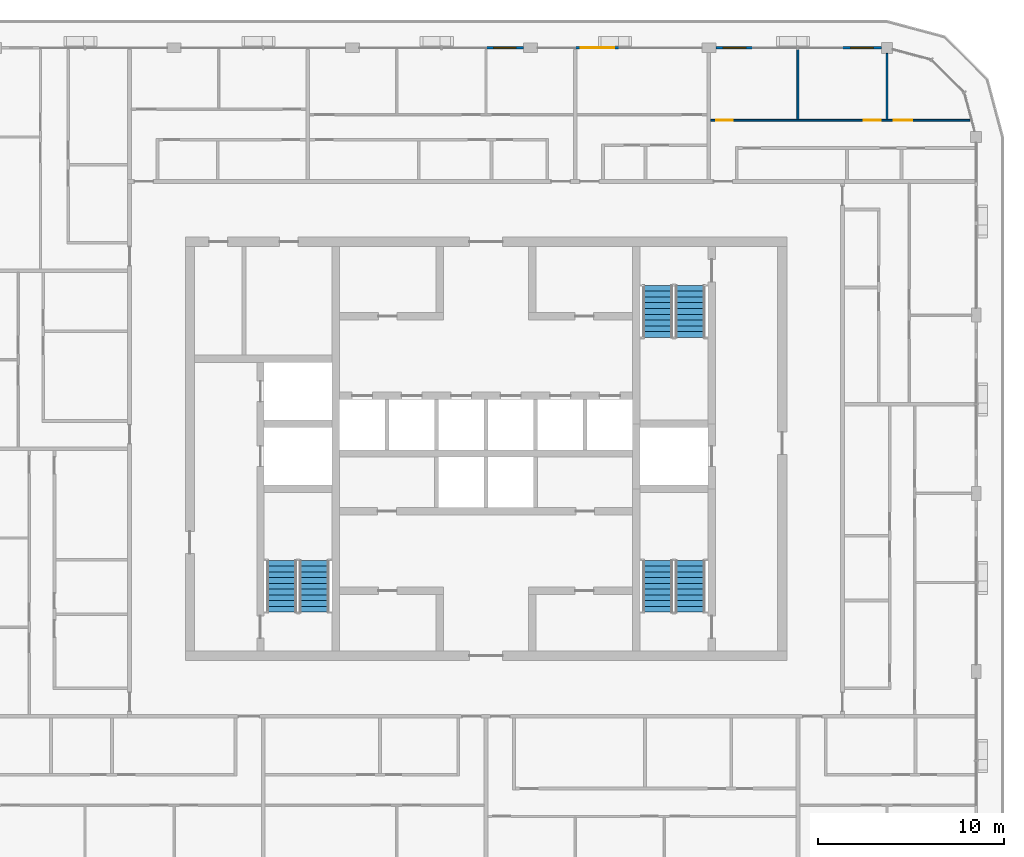
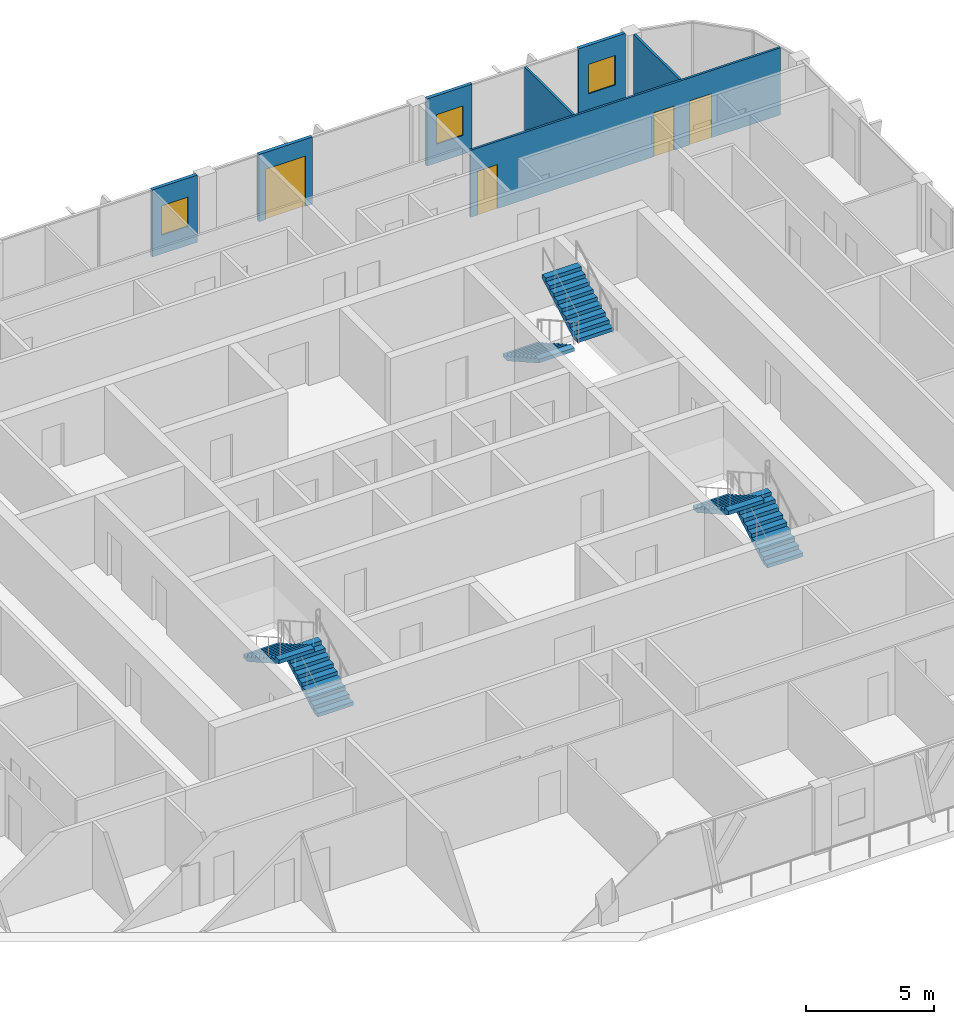
# One storey, part 15 of 21: 7 walls, 6 stair flights, 4 doors, 3 windows, 7 openings, 3 elements without a shape of their own.
"""IFC4 building model written with IfcOpenShell, lengths in metres."""

from ifc_helpers import new_model, si_unit, direction, frame, frame_2d, origin, place, context, subcontext, project, spatial, polyline, rectangle, outline, extrude, material, layer, layer_set, type_object, element, fill, aggregate, save


model = new_model("IFC4")

# Units and contexts
model_context = context("Model", 3, precision=1e-05, world=origin(), true_north=direction((0.0, 1.0)))
body_context = subcontext(model_context, "Body", "Model", "MODEL_VIEW")
ifc_project = project(units=[si_unit("LENGTHUNIT", "METRE"), si_unit("AREAUNIT", "SQUARE_METRE"), si_unit("VOLUMEUNIT", "CUBIC_METRE"), si_unit("PLANEANGLEUNIT", "RADIAN"), si_unit("MASSUNIT", "GRAM", prefix="KILO")], contexts=[model_context])

# Site, building, storey
site_placement = place(None, origin())
site = spatial("IfcSite", under=ifc_project, at=site_placement, CompositionType="ELEMENT")
building_placement = place(site_placement, origin())
building = spatial("IfcBuilding", under=site, at=building_placement, Name="Madar Terraces", CompositionType="ELEMENT")
storey_placement = place(building_placement, frame((0.0, 0.0, 275.60009765625)))
storey = spatial("IfcBuildingStorey", under=building, at=storey_placement, Name="L72", CompositionType="ELEMENT", Elevation=275.60009765625)

# Wall, opening, window
ifc_material_1 = material(Name="Aluminium composite panel, black, over insulated backing", Category="aluminium")
ifc_layer_1 = layer(ifc_material_1, 0.14990234375)
ifc_layer_set_1 = layer_set([ifc_layer_1], Name="Facade bay panel 150")
wall_type_1 = type_object("IfcWallType", Name="Facade bay panel 150", PredefinedType="SOLIDWALL", material=ifc_layer_set_1)
wall_1_placement = place(storey_placement, frame((52.5, 48.0, 0.0), z_axis=(0.0, 0.0, 1.0), x_axis=(-1.0, 0.0, 0.0)))
wall_1 = element("IfcWall", 1, at=wall_1_placement, inside=storey, type_object=wall_type_1, Name="Facade bay panel", PredefinedType="SOLIDWALL", context=body_context, shape_type="SweptSolid", body=[
    extrude(rectangle(XDim=2.10009765625, YDim=0.14990234375, at=frame_2d((1.050048828125, 0.0))), origin(), (0.0, 0.0, 1.0), 3.199951171875),
])
opening_1_placement = place(wall_1_placement, frame((0.449951171875, 0.0, 0.89990234375)))
opening_1 = element("IfcOpeningElement", 2, at=opening_1_placement, cuts=wall_1, Name="Opening W1", PredefinedType="OPENING", context=body_context, shape_type="SweptSolid", body=[
    extrude(rectangle(XDim=1.199951171875, YDim=1.39990234375, at=frame_2d((0.60009765625, 0.699951171875))), frame((0.0, 0.0849609375, 0.0), z_axis=(0.0, -1.0, 0.0), x_axis=(1.0, 0.0, 0.0)), (0.0, 0.0, 1.0), 0.169921875),
])
ifc_material_2 = material(Name="Glass, clear, with black aluminium frame", Category="aluminium")
window_type = type_object("IfcWindowType", Name="Vent window 1200 x 1400", PartitioningType="SINGLE_PANEL", PredefinedType="WINDOW", material=ifc_material_2)
window_1_placement = place(opening_1_placement, origin())
window_1 = element("IfcWindow", 3, at=window_1_placement, inside=storey, type_object=window_type, Name="Operable vent window", OverallHeight=1.39990234375, OverallWidth=1.199951171875, PartitioningType="SINGLE_PANEL", PredefinedType="WINDOW", context=body_context, shape_type="SweptSolid", body=[
    extrude(rectangle(XDim=1.199951171875, YDim=1.39990234375, at=frame_2d((0.60009765625, 0.699951171875))), frame((0.0, 0.030029296875, 0.0), z_axis=(0.0, -1.0, 0.0), x_axis=(1.0, 0.0, 0.0)), (0.0, 0.0, 1.0), 0.06005859375),
])
fill(opening_1, window_1)

wall_2_placement = place(storey_placement, frame((45.60009765625, 48.0, 0.0), z_axis=(0.0, 0.0, 1.0), x_axis=(-1.0, 0.0, 0.0)))
wall_2 = element("IfcWall", 4, at=wall_2_placement, inside=storey, type_object=wall_type_1, Name="Facade bay panel", PredefinedType="SOLIDWALL", context=body_context, shape_type="SweptSolid", body=[
    extrude(rectangle(XDim=2.025146484375, YDim=0.14990234375, at=frame_2d((1.0126953125, 0.0))), origin(), (0.0, 0.0, 1.0), 3.199951171875),
])
opening_2_placement = place(wall_2_placement, frame((0.41259765625, 0.0, 0.89990234375)))
opening_2 = element("IfcOpeningElement", 5, at=opening_2_placement, cuts=wall_2, Name="Opening W1", PredefinedType="OPENING", context=body_context, shape_type="SweptSolid", body=[
    extrude(rectangle(XDim=1.199951171875, YDim=1.39990234375, at=frame_2d((0.60009765625, 0.699951171875))), frame((0.0, 0.0849609375, 0.0), z_axis=(0.0, -1.0, 0.0), x_axis=(1.0, 0.0, 0.0)), (0.0, 0.0, 1.0), 0.169921875),
])
window_2_placement = place(opening_2_placement, origin())
window_2 = element("IfcWindow", 6, at=window_2_placement, inside=storey, type_object=window_type, Name="Operable vent window", OverallHeight=1.39990234375, OverallWidth=1.199951171875, PartitioningType="SINGLE_PANEL", PredefinedType="WINDOW", context=body_context, shape_type="SweptSolid", body=[
    extrude(rectangle(XDim=1.199951171875, YDim=1.39990234375, at=frame_2d((0.60009765625, 0.699951171875))), frame((0.0, 0.030029296875, 0.0), z_axis=(0.0, -1.0, 0.0), x_axis=(1.0, 0.0, 0.0)), (0.0, 0.0, 1.0), 0.06005859375),
])
fill(opening_2, window_2)

# Wall, opening, door
wall_3_placement = place(storey_placement, frame((38.39990234375, 48.0, 0.0), z_axis=(0.0, 0.0, 1.0), x_axis=(-1.0, 0.0, 0.0)))
wall_3 = element("IfcWall", 7, at=wall_3_placement, inside=storey, type_object=wall_type_1, Name="Facade bay panel", PredefinedType="SOLIDWALL", context=body_context, shape_type="SweptSolid", body=[
    extrude(rectangle(XDim=2.39990234375, YDim=0.14990234375, at=frame_2d((1.199951171875, 0.0))), origin(), (0.0, 0.0, 1.0), 3.199951171875),
])
opening_3_placement = place(wall_3_placement, frame((0.300048828125, 0.0, 0.0)))
opening_3 = element("IfcOpeningElement", 8, at=opening_3_placement, cuts=wall_3, Name="Opening ED1", PredefinedType="OPENING", context=body_context, shape_type="SweptSolid", body=[
    extrude(rectangle(XDim=1.800048828125, YDim=2.39990234375, at=frame_2d((0.89990234375, 1.199951171875))), frame((0.0, 0.0849609375, 0.0), z_axis=(0.0, -1.0, 0.0), x_axis=(1.0, 0.0, 0.0)), (0.0, 0.0, 1.0), 0.169921875),
])
ifc_material_3 = material(Name="Glass, clear, with black aluminium frame", Category="aluminium")
door_type_1 = type_object("IfcDoorType", Name="Balcony and terrace sliding door 1800 x 2400", OperationType="SLIDING_TO_LEFT", PredefinedType="DOOR", material=ifc_material_3)
door_1_placement = place(opening_3_placement, origin())
door_1 = element("IfcDoor", 9, at=door_1_placement, inside=storey, type_object=door_type_1, Name="Balcony door", OperationType="SLIDING_TO_RIGHT", OverallHeight=2.39990234375, OverallWidth=1.800048828125, PredefinedType="DOOR", context=body_context, shape_type="SweptSolid", body=[
    extrude(rectangle(XDim=1.800048828125, YDim=2.39990234375, at=frame_2d((0.89990234375, 1.199951171875))), frame((0.0, 0.02490234375, 0.0), z_axis=(0.0, -1.0, 0.0), x_axis=(1.0, 0.0, 0.0)), (0.0, 0.0, 1.0), 0.050048828125),
])
fill(opening_3, door_1)

# Wall, opening, window
wall_4_placement = place(storey_placement, frame((33.22509765625, 48.0, 0.0), z_axis=(0.0, 0.0, 1.0), x_axis=(-1.0, 0.0, 0.0)))
wall_4 = element("IfcWall", 10, at=wall_4_placement, inside=storey, type_object=wall_type_1, Name="Facade bay panel", PredefinedType="SOLIDWALL", context=body_context, shape_type="SweptSolid", body=[
    extrude(rectangle(XDim=2.025146484375, YDim=0.14990234375, at=frame_2d((1.0126953125, 0.0))), origin(), (0.0, 0.0, 1.0), 3.199951171875),
])
opening_4_placement = place(wall_4_placement, frame((0.41259765625, 0.0, 0.89990234375)))
opening_4 = element("IfcOpeningElement", 11, at=opening_4_placement, cuts=wall_4, Name="Opening W1", PredefinedType="OPENING", context=body_context, shape_type="SweptSolid", body=[
    extrude(rectangle(XDim=1.199951171875, YDim=1.39990234375, at=frame_2d((0.60009765625, 0.699951171875))), frame((0.0, 0.0849609375, 0.0), z_axis=(0.0, -1.0, 0.0), x_axis=(1.0, 0.0, 0.0)), (0.0, 0.0, 1.0), 0.169921875),
])
window_3_placement = place(opening_4_placement, origin())
window_3 = element("IfcWindow", 12, at=window_3_placement, inside=storey, type_object=window_type, Name="Operable vent window", OverallHeight=1.39990234375, OverallWidth=1.199951171875, PartitioningType="SINGLE_PANEL", PredefinedType="WINDOW", context=body_context, shape_type="SweptSolid", body=[
    extrude(rectangle(XDim=1.199951171875, YDim=1.39990234375, at=frame_2d((0.60009765625, 0.699951171875))), frame((0.0, 0.030029296875, 0.0), z_axis=(0.0, -1.0, 0.0), x_axis=(1.0, 0.0, 0.0)), (0.0, 0.0, 1.0), 0.06005859375),
])
fill(opening_4, window_3)

# Walls
ifc_material_4 = material(Name="Gypsum board on steel studs", Category="steel")
ifc_layer_2 = layer(ifc_material_4, 0.10009765625)
ifc_layer_set_2 = layer_set([ifc_layer_2], Name="Flat partition 100")
wall_type_2 = type_object("IfcWallType", Name="Flat partition 100", PredefinedType="PARTITIONING", material=ifc_layer_set_2)
wall_5_placement = place(storey_placement, frame((48.0, 44.14990234375, 0.0), z_axis=(0.0, 0.0, 1.0), x_axis=(0.0, 1.0, 0.0)))
element("IfcWall", 13, at=wall_5_placement, inside=storey, type_object=wall_type_2, Name="Flat partition 100", PredefinedType="PARTITIONING", context=body_context, shape_type="SweptSolid", body=[
    extrude(rectangle(XDim=3.75, YDim=0.10009765625, at=frame_2d((1.875, 0.0))), origin(), (0.0, 0.0, 1.0), 3.199951171875),
])
wall_6_placement = place(storey_placement, frame((52.800048828125, 44.14990234375, 0.0), z_axis=(0.0, 0.0, 1.0), x_axis=(0.0, 1.0, 0.0)))
element("IfcWall", 14, at=wall_6_placement, inside=storey, type_object=wall_type_2, Name="Flat partition 100", PredefinedType="PARTITIONING", context=body_context, shape_type="SweptSolid", body=[
    extrude(rectangle(XDim=3.550048828125, YDim=0.10009765625, at=frame_2d((1.77490234375, 0.0))), origin(), (0.0, 0.0, 1.0), 3.199951171875),
])

# Wall, openings, doors
wall_7_placement = place(storey_placement, frame((43.300048828125, 44.10009765625, 0.0), z_axis=(0.0, 0.0, 1.0), x_axis=(1.0, 0.0, 0.0)))
wall_7 = element("IfcWall", 15, at=wall_7_placement, inside=storey, type_object=wall_type_2, Name="Flat partition 100", PredefinedType="PARTITIONING", context=body_context, shape_type="SweptSolid", body=[
    extrude(rectangle(XDim=13.958740234375, YDim=0.10009765625, at=frame_2d((6.9794921875, 0.0))), origin(), (0.0, 0.0, 1.0), 3.199951171875),
])
opening_5_placement = place(wall_7_placement, frame((0.300048828125, 0.0, 0.0)))
opening_5 = element("IfcOpeningElement", 16, at=opening_5_placement, cuts=wall_7, Name="Opening D2", PredefinedType="OPENING", context=body_context, shape_type="SweptSolid", body=[
    extrude(rectangle(XDim=0.89990234375, YDim=2.10009765625, at=frame_2d((0.449951171875, 1.050048828125))), frame((0.0, 0.06005859375, 0.0), z_axis=(0.0, -1.0, 0.0), x_axis=(1.0, 0.0, 0.0)), (0.0, 0.0, 1.0), 0.1201171875),
])
opening_6_placement = place(wall_7_placement, frame((8.25, 0.0, 0.0)))
opening_6 = element("IfcOpeningElement", 17, at=opening_6_placement, cuts=wall_7, Name="Opening D2", PredefinedType="OPENING", context=body_context, shape_type="SweptSolid", body=[
    extrude(rectangle(XDim=0.89990234375, YDim=2.10009765625, at=frame_2d((0.449951171875, 1.050048828125))), frame((0.0, 0.06005859375, 0.0), z_axis=(0.0, -1.0, 0.0), x_axis=(1.0, 0.0, 0.0)), (0.0, 0.0, 1.0), 0.1201171875),
])
opening_7_placement = place(wall_7_placement, frame((9.85009765625, 0.0, 0.0)))
opening_7 = element("IfcOpeningElement", 18, at=opening_7_placement, cuts=wall_7, Name="Opening D3", PredefinedType="OPENING", context=body_context, shape_type="SweptSolid", body=[
    extrude(rectangle(XDim=1.0, YDim=2.10009765625, at=frame_2d((0.5, 1.050048828125))), frame((0.0, 0.06005859375, 0.0), z_axis=(0.0, -1.0, 0.0), x_axis=(1.0, 0.0, 0.0)), (0.0, 0.0, 1.0), 0.1201171875),
])
ifc_material_5 = material(Name="Timber door leaf", Category="wood")
door_type_2 = type_object("IfcDoorType", Name="Flat living room door 1000", OperationType="NOTDEFINED", PredefinedType="DOOR", material=ifc_material_5)
door_2_placement = place(opening_7_placement, origin())
door_2 = element("IfcDoor", 19, at=door_2_placement, inside=storey, type_object=door_type_2, Name="Flat living room door 1000", OperationType="SINGLE_SWING_LEFT", OverallHeight=2.10009765625, OverallWidth=1.0, PredefinedType="DOOR", context=body_context, shape_type="SweptSolid", body=[
    extrude(rectangle(XDim=1.0, YDim=2.10009765625, at=frame_2d((0.5, 1.050048828125))), frame((0.0, 0.02490234375, 0.0), z_axis=(0.0, -1.0, 0.0), x_axis=(1.0, 0.0, 0.0)), (0.0, 0.0, 1.0), 0.050048828125),
])
fill(opening_7, door_2)
ifc_material_6 = material(Name="Timber door leaf", Category="wood")
door_type_3 = type_object("IfcDoorType", Name="Flat room door 900", OperationType="NOTDEFINED", PredefinedType="DOOR", material=ifc_material_6)
door_3_placement = place(opening_5_placement, origin())
door_3 = element("IfcDoor", 20, at=door_3_placement, inside=storey, type_object=door_type_3, Name="Flat room door 900", OperationType="SINGLE_SWING_LEFT", OverallHeight=2.10009765625, OverallWidth=0.89990234375, PredefinedType="DOOR", context=body_context, shape_type="SweptSolid", body=[
    extrude(rectangle(XDim=0.89990234375, YDim=2.10009765625, at=frame_2d((0.449951171875, 1.050048828125))), frame((0.0, 0.02490234375, 0.0), z_axis=(0.0, -1.0, 0.0), x_axis=(1.0, 0.0, 0.0)), (0.0, 0.0, 1.0), 0.050048828125),
])
fill(opening_5, door_3)
door_4_placement = place(opening_6_placement, origin())
door_4 = element("IfcDoor", 21, at=door_4_placement, inside=storey, type_object=door_type_3, Name="Flat room door 900", OperationType="SINGLE_SWING_RIGHT", OverallHeight=2.10009765625, OverallWidth=0.89990234375, PredefinedType="DOOR", context=body_context, shape_type="SweptSolid", body=[
    extrude(rectangle(XDim=0.89990234375, YDim=2.10009765625, at=frame_2d((0.449951171875, 1.050048828125))), frame((0.0, 0.02490234375, 0.0), z_axis=(0.0, -1.0, 0.0), x_axis=(1.0, 0.0, 0.0)), (0.0, 0.0, 1.0), 0.050048828125),
])
fill(opening_6, door_4)

# Stair, stair flights
ifc_material_7 = material(Name="Concrete C50/60", Category="concrete")
stair_type_1 = type_object("IfcStairType", Name="Stair ST1 protected exit", PredefinedType="HALF_TURN_STAIR", material=ifc_material_7)
stair_1_placement = place(storey_placement, origin())
stair_1 = element("IfcStair", 22, at=stair_1_placement, inside=storey, type_object=stair_type_1, Name="L72 Protected Exit Stair ST1", PredefinedType="HALF_TURN_STAIR")
ifc_material_8 = material(Name="Concrete C50/60", Category="concrete")
stair_flight_type_1 = type_object("IfcStairFlightType", Name="Stair flight ST1-F4, 1600 wide, 10 risers", PredefinedType="STRAIGHT", material=ifc_material_8)
stair_flight_1_placement = place(storey_placement, frame((21.949951171875, 17.60009765625, 0.0), z_axis=(0.0, 0.0, 1.0), x_axis=(0.0, 1.0, 0.0)))
stair_flight_1 = element("IfcStairFlight", 23, at=stair_flight_1_placement, type_object=stair_flight_type_1, Name="ST1 flight 1", NumberOfRisers=10, NumberOfTreads=9, PredefinedType="STRAIGHT", RiserHeight=0.175, TreadLength=0.31, context=body_context, shape_type="SweptSolid", body=[
    extrude(outline(polyline([(0.0, 0.0), (0.0, 0.175048828125), (0.31005859375, 0.175048828125), (0.31005859375, 0.35009765625), (0.6201171875, 0.35009765625), (0.6201171875, 0.52490234375), (0.929931640625, 0.52490234375), (0.929931640625, 0.699951171875), (1.239990234375, 0.699951171875), (1.239990234375, 0.875), (1.550048828125, 0.875), (1.550048828125, 1.050048828125), (1.860107421875, 1.050048828125), (1.860107421875, 1.22509765625), (2.169921875, 1.22509765625), (2.169921875, 1.39990234375), (2.47998046875, 1.39990234375), (2.47998046875, 1.574951171875), (2.7900390625, 1.574951171875), (2.7900390625, 1.75), (2.7900390625, 1.40283203125), (0.304931640625, 0.0), (0.0, 0.0)])), frame((0.0, 0.800048828125, 0.0), z_axis=(0.0, -1.0, 0.0), x_axis=(1.0, 0.0, 0.0)), (0.0, 0.0, 1.0), 1.60009765625),
])
stair_flight_2_placement = place(storey_placement, frame((20.199951171875, 20.389892578125, 1.75), z_axis=(0.0, 0.0, 1.0), x_axis=(0.0, -1.0, 0.0)))
stair_flight_2 = element("IfcStairFlight", 24, at=stair_flight_2_placement, type_object=stair_flight_type_1, Name="ST1 flight 2", NumberOfRisers=10, NumberOfTreads=9, PredefinedType="STRAIGHT", RiserHeight=0.175, TreadLength=0.31, context=body_context, shape_type="SweptSolid", body=[
    extrude(outline(polyline([(0.0, 0.0), (0.0, 0.175048828125), (0.31005859375, 0.175048828125), (0.31005859375, 0.35009765625), (0.6201171875, 0.35009765625), (0.6201171875, 0.52490234375), (0.929931640625, 0.52490234375), (0.929931640625, 0.699951171875), (1.239990234375, 0.699951171875), (1.239990234375, 0.875), (1.550048828125, 0.875), (1.550048828125, 1.050048828125), (1.860107421875, 1.050048828125), (1.860107421875, 1.22509765625), (2.169921875, 1.22509765625), (2.169921875, 1.39990234375), (2.47998046875, 1.39990234375), (2.47998046875, 1.574951171875), (2.7900390625, 1.574951171875), (2.7900390625, 1.75), (2.7900390625, 1.40283203125), (0.304931640625, 0.0), (0.0, 0.0)])), frame((0.0, 0.800048828125, 0.0), z_axis=(0.0, -1.0, 0.0), x_axis=(1.0, 0.0, 0.0)), (0.0, 0.0, 1.0), 1.60009765625),
])
aggregate(stair_1, [stair_flight_1, stair_flight_2])

ifc_material_9 = material(Name="Concrete C50/60", Category="concrete")
stair_type_2 = type_object("IfcStairType", Name="Stair ST2 protected exit", PredefinedType="HALF_TURN_STAIR", material=ifc_material_9)
stair_2_placement = place(storey_placement, origin())
stair_2 = element("IfcStair", 25, at=stair_2_placement, inside=storey, type_object=stair_type_2, Name="L72 Protected Exit Stair ST2", PredefinedType="HALF_TURN_STAIR")
ifc_material_10 = material(Name="Concrete C50/60", Category="concrete")
stair_flight_type_2 = type_object("IfcStairFlightType", Name="Stair flight ST2-F4, 1600 wide, 10 risers", PredefinedType="STRAIGHT", material=ifc_material_10)
stair_flight_3_placement = place(storey_placement, frame((40.449951171875, 35.199951171875, 0.0), z_axis=(0.0, 0.0, 1.0), x_axis=(0.0, -1.0, 0.0)))
stair_flight_3 = element("IfcStairFlight", 26, at=stair_flight_3_placement, type_object=stair_flight_type_2, Name="ST2 flight 1", NumberOfRisers=10, NumberOfTreads=9, PredefinedType="STRAIGHT", RiserHeight=0.175, TreadLength=0.31, context=body_context, shape_type="SweptSolid", body=[
    extrude(outline(polyline([(0.0, 0.0), (0.0, 0.175048828125), (0.31005859375, 0.175048828125), (0.31005859375, 0.35009765625), (0.6201171875, 0.35009765625), (0.6201171875, 0.52490234375), (0.929931640625, 0.52490234375), (0.929931640625, 0.699951171875), (1.239990234375, 0.699951171875), (1.239990234375, 0.875), (1.550048828125, 0.875), (1.550048828125, 1.050048828125), (1.860107421875, 1.050048828125), (1.860107421875, 1.22509765625), (2.169921875, 1.22509765625), (2.169921875, 1.39990234375), (2.47998046875, 1.39990234375), (2.47998046875, 1.574951171875), (2.7900390625, 1.574951171875), (2.7900390625, 1.75), (2.7900390625, 1.40283203125), (0.304931640625, 0.0), (0.0, 0.0)])), frame((0.0, 0.800048828125, 0.0), z_axis=(0.0, -1.0, 0.0), x_axis=(1.0, 0.0, 0.0)), (0.0, 0.0, 1.0), 1.60009765625),
])
stair_flight_4_placement = place(storey_placement, frame((42.199951171875, 32.409912109375, 1.75), z_axis=(0.0, 0.0, 1.0), x_axis=(0.0, 1.0, 0.0)))
stair_flight_4 = element("IfcStairFlight", 27, at=stair_flight_4_placement, type_object=stair_flight_type_2, Name="ST2 flight 2", NumberOfRisers=10, NumberOfTreads=9, PredefinedType="STRAIGHT", RiserHeight=0.175, TreadLength=0.31, context=body_context, shape_type="SweptSolid", body=[
    extrude(outline(polyline([(0.0, 0.0), (0.0, 0.175048828125), (0.31005859375, 0.175048828125), (0.31005859375, 0.35009765625), (0.6201171875, 0.35009765625), (0.6201171875, 0.52490234375), (0.929931640625, 0.52490234375), (0.929931640625, 0.699951171875), (1.239990234375, 0.699951171875), (1.239990234375, 0.875), (1.550048828125, 0.875), (1.550048828125, 1.050048828125), (1.860107421875, 1.050048828125), (1.860107421875, 1.22509765625), (2.169921875, 1.22509765625), (2.169921875, 1.39990234375), (2.47998046875, 1.39990234375), (2.47998046875, 1.574951171875), (2.7900390625, 1.574951171875), (2.7900390625, 1.75), (2.7900390625, 1.40283203125), (0.304931640625, 0.0), (0.0, 0.0)])), frame((0.0, 0.800048828125, 0.0), z_axis=(0.0, -1.0, 0.0), x_axis=(1.0, 0.0, 0.0)), (0.0, 0.0, 1.0), 1.60009765625),
])
aggregate(stair_2, [stair_flight_3, stair_flight_4])

ifc_material_11 = material(Name="Concrete C50/60", Category="concrete")
stair_type_3 = type_object("IfcStairType", Name="Stair ST3 protected exit", PredefinedType="HALF_TURN_STAIR", material=ifc_material_11)
stair_3_placement = place(storey_placement, origin())
stair_3 = element("IfcStair", 28, at=stair_3_placement, inside=storey, type_object=stair_type_3, Name="L72 Protected Exit Stair ST3", PredefinedType="HALF_TURN_STAIR")
ifc_material_12 = material(Name="Concrete C50/60", Category="concrete")
stair_flight_type_3 = type_object("IfcStairFlightType", Name="Stair flight ST3-F4, 1600 wide, 10 risers", PredefinedType="STRAIGHT", material=ifc_material_12)
stair_flight_5_placement = place(storey_placement, frame((42.199951171875, 17.60009765625, 0.0), z_axis=(0.0, 0.0, 1.0), x_axis=(0.0, 1.0, 0.0)))
stair_flight_5 = element("IfcStairFlight", 29, at=stair_flight_5_placement, type_object=stair_flight_type_3, Name="ST3 flight 1", NumberOfRisers=10, NumberOfTreads=9, PredefinedType="STRAIGHT", RiserHeight=0.175, TreadLength=0.31, context=body_context, shape_type="SweptSolid", body=[
    extrude(outline(polyline([(0.0, 0.0), (0.0, 0.175048828125), (0.31005859375, 0.175048828125), (0.31005859375, 0.35009765625), (0.6201171875, 0.35009765625), (0.6201171875, 0.52490234375), (0.929931640625, 0.52490234375), (0.929931640625, 0.699951171875), (1.239990234375, 0.699951171875), (1.239990234375, 0.875), (1.550048828125, 0.875), (1.550048828125, 1.050048828125), (1.860107421875, 1.050048828125), (1.860107421875, 1.22509765625), (2.169921875, 1.22509765625), (2.169921875, 1.39990234375), (2.47998046875, 1.39990234375), (2.47998046875, 1.574951171875), (2.7900390625, 1.574951171875), (2.7900390625, 1.75), (2.7900390625, 1.40283203125), (0.304931640625, 0.0), (0.0, 0.0)])), frame((0.0, 0.800048828125, 0.0), z_axis=(0.0, -1.0, 0.0), x_axis=(1.0, 0.0, 0.0)), (0.0, 0.0, 1.0), 1.60009765625),
])
stair_flight_6_placement = place(storey_placement, frame((40.449951171875, 20.389892578125, 1.75), z_axis=(0.0, 0.0, 1.0), x_axis=(0.0, -1.0, 0.0)))
stair_flight_6 = element("IfcStairFlight", 30, at=stair_flight_6_placement, type_object=stair_flight_type_3, Name="ST3 flight 2", NumberOfRisers=10, NumberOfTreads=9, PredefinedType="STRAIGHT", RiserHeight=0.175, TreadLength=0.31, context=body_context, shape_type="SweptSolid", body=[
    extrude(outline(polyline([(0.0, 0.0), (0.0, 0.175048828125), (0.31005859375, 0.175048828125), (0.31005859375, 0.35009765625), (0.6201171875, 0.35009765625), (0.6201171875, 0.52490234375), (0.929931640625, 0.52490234375), (0.929931640625, 0.699951171875), (1.239990234375, 0.699951171875), (1.239990234375, 0.875), (1.550048828125, 0.875), (1.550048828125, 1.050048828125), (1.860107421875, 1.050048828125), (1.860107421875, 1.22509765625), (2.169921875, 1.22509765625), (2.169921875, 1.39990234375), (2.47998046875, 1.39990234375), (2.47998046875, 1.574951171875), (2.7900390625, 1.574951171875), (2.7900390625, 1.75), (2.7900390625, 1.40283203125), (0.304931640625, 0.0), (0.0, 0.0)])), frame((0.0, 0.800048828125, 0.0), z_axis=(0.0, -1.0, 0.0), x_axis=(1.0, 0.0, 0.0)), (0.0, 0.0, 1.0), 1.60009765625),
])
aggregate(stair_3, [stair_flight_5, stair_flight_6])

save(model, "model.ifc")
